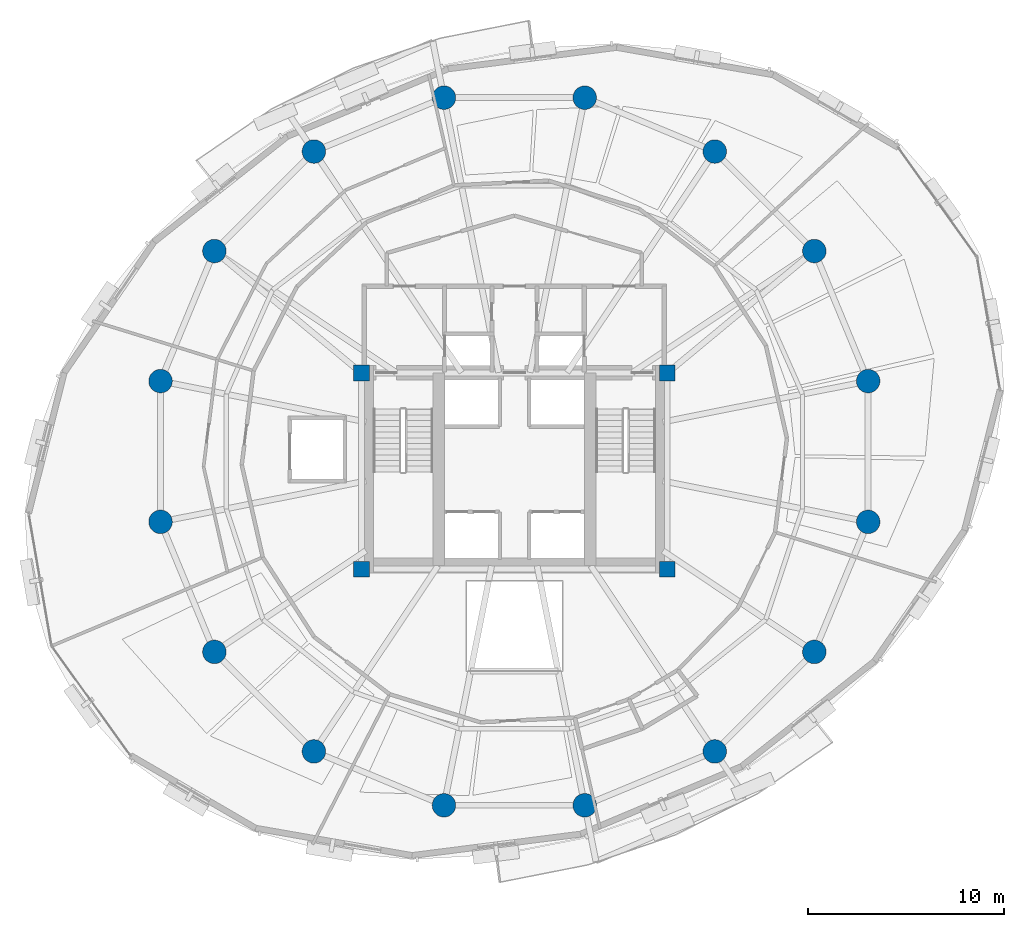
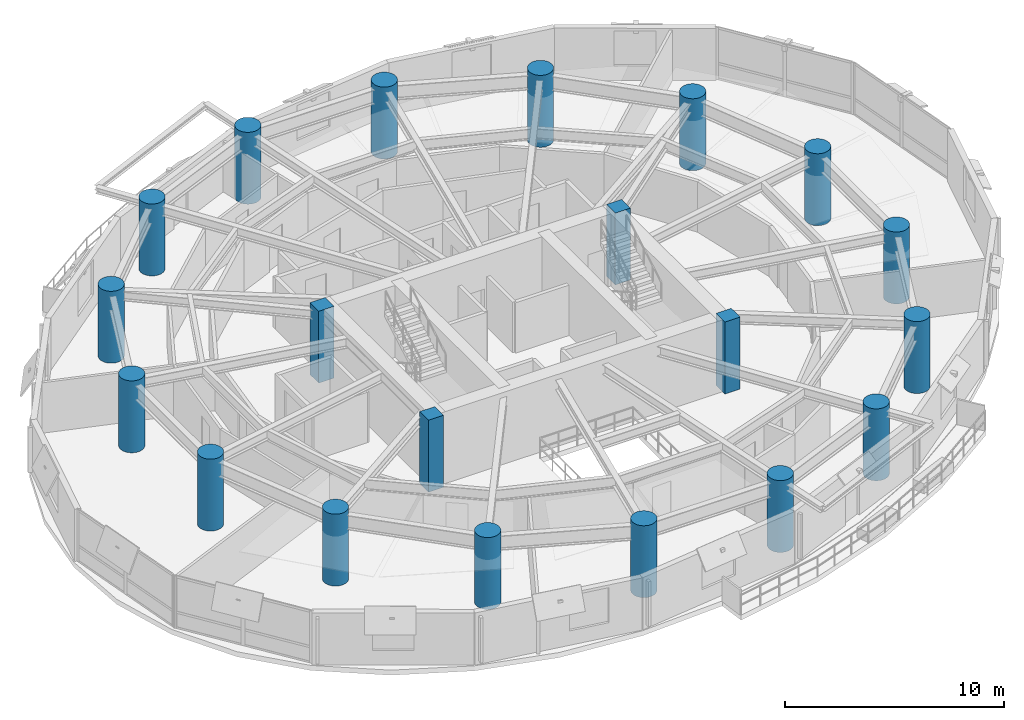
# One storey, part 1 of 14: 20 columns.
"""IFC4 building model written with IfcOpenShell, lengths in metres."""

from ifc_helpers import new_model, si_unit, direction, frame, origin, origin_2d, place, context, subcontext, project, spatial, rectangle, circle, extrude, material, material_profile, profile_set, type_object, element, save


model = new_model("IFC4")

# Units and contexts
model_context = context("Model", 3, precision=1e-05, world=origin(), true_north=direction((0.0, 1.0)))
body_context = subcontext(model_context, "Body", "Model", "MODEL_VIEW")
ifc_project = project(units=[si_unit("LENGTHUNIT", "METRE"), si_unit("AREAUNIT", "SQUARE_METRE"), si_unit("VOLUMEUNIT", "CUBIC_METRE"), si_unit("PLANEANGLEUNIT", "RADIAN"), si_unit("MASSUNIT", "GRAM", prefix="KILO"), si_unit("THERMODYNAMICTEMPERATUREUNIT", "KELVIN"), si_unit("POWERUNIT", "WATT")], contexts=[model_context])

# Site, building, storey
site_placement = place(None, origin())
site = spatial("IfcSite", under=ifc_project, at=site_placement, CompositionType="ELEMENT")
building_placement = place(site_placement, origin())
building = spatial("IfcBuilding", under=site, at=building_placement, Name="Ocrelia Relay Tower", CompositionType="ELEMENT")
storey_placement = place(building_placement, frame((0.0, 0.0, 129.800048828125)))
storey = spatial("IfcBuildingStorey", under=building, at=storey_placement, Name="L30", CompositionType="ELEMENT", Elevation=129.800048828125)

# Columns
ifc_material = material(Name="Concrete C60/75", Category="concrete")
ifc_material_profile_1 = material_profile(ifc_material, circle(Radius=0.60009765625, at=origin_2d()), Name="RC-CIR-1200")
ifc_profile_set_1 = profile_set([ifc_material_profile_1], Name="Concrete C60/75")
column_type_1 = type_object("IfcColumnType", Name="COL-CT-1200", PredefinedType="COLUMN", material=ifc_profile_set_1)
for number, where, z_axis, x_axis, name in (
    (1, (52.04638671875, 29.589599609375, 0.0), (0.0, 0.0, 1.0), (1.0, 0.0, 0.0), "L30 Perimeter Ring Column C01"),
    (2, (49.299072265625, 36.222412109375, 0.0), (0.0, 0.0, 1.0), (1.0, 0.0, 0.0), "L30 Perimeter Ring Column C02"),
    (3, (44.222412109375, 41.299072265625, 0.0), (0.0, 0.0, 1.0), (1.0, 0.0, 0.0), "L30 Perimeter Ring Column C03"),
    (4, (37.589599609375, 44.04638671875, 0.0), (0.0, 0.0, 1.0), (1.0, 0.0, 0.0), "L30 Perimeter Ring Column C04"),
    (5, (30.410400390625, 44.04638671875, 0.0), (0.0, 0.0, 1.0), (1.0, 0.0, 0.0), "L30 Perimeter Ring Column C05"),
    (6, (23.777587890625, 41.299072265625, 0.0), (0.0, 0.0, 1.0), (1.0, 0.0, 0.0), "L30 Perimeter Ring Column C06"),
    (7, (18.700927734375, 36.222412109375, 0.0), (0.0, 0.0, 1.0), (1.0, 0.0, 0.0), "L30 Perimeter Ring Column C07"),
    (8, (15.95361328125, 29.589599609375, 0.0), (0.0, 0.0, 1.0), (1.0, 0.0, 0.0), "L30 Perimeter Ring Column C08"),
    (9, (15.95361328125, 22.410400390625, 0.0), (0.0, 0.0, 1.0), (1.0, 0.0, 0.0), "L30 Perimeter Ring Column C09"),
    (10, (18.700927734375, 15.777587890625, 0.0), (0.0, 0.0, 1.0), (1.0, 0.0, 0.0), "L30 Perimeter Ring Column C10"),
    (11, (23.777587890625, 10.700927734375, 0.0), (0.0, 0.0, 1.0), (1.0, 0.0, 0.0), "L30 Perimeter Ring Column C11"),
    (12, (30.410400390625, 7.95361328125, 0.0), (0.0, 0.0, 1.0), (1.0, 0.0, 0.0), "L30 Perimeter Ring Column C12"),
    (13, (37.589599609375, 7.95361328125, 0.0), (0.0, 0.0, 1.0), (1.0, 0.0, 0.0), "L30 Perimeter Ring Column C13"),
    (14, (44.222412109375, 10.700927734375, 0.0), (0.0, 0.0, 1.0), (1.0, 0.0, 0.0), "L30 Perimeter Ring Column C14"),
    (15, (49.299072265625, 15.777587890625, 0.0), (0.0, 0.0, 1.0), (1.0, 0.0, 0.0), "L30 Perimeter Ring Column C15"),
    (16, (52.04638671875, 22.410400390625, 0.0), (0.0, 0.0, 1.0), (1.0, 0.0, 0.0), "L30 Perimeter Ring Column C16"),
):
    element("IfcColumn", number, at=place(storey_placement, frame(where, z_axis=z_axis, x_axis=x_axis)), inside=storey, type_object=column_type_1, Name=name, PredefinedType="COLUMN", context=body_context, shape_type="SweptSolid", body=[
        extrude(circle(Radius=0.60009765625, at=origin_2d()), origin(), (0.0, 0.0, 1.0), 4.0),
    ])
ifc_material_profile_2 = material_profile(ifc_material, rectangle(XDim=0.800048828125, YDim=0.800048828125, at=origin_2d()), Name="RC-COL-800x800")
ifc_profile_set_2 = profile_set([ifc_material_profile_2], Name="Concrete C60/75")
column_type_2 = type_object("IfcColumnType", Name="COL-PILASTER-800", PredefinedType="PILASTER", material=ifc_profile_set_2)
for number, where, z_axis, x_axis, name in (
    (17, (26.199951171875, 20.0, 0.0), (0.0, 0.0, 1.0), (1.0, 0.0, 0.0), "L30 Core Corner Pilaster SW"),
    (18, (41.800048828125, 20.0, 0.0), (0.0, 0.0, 1.0), (1.0, 0.0, 0.0), "L30 Core Corner Pilaster SE"),
    (19, (26.199951171875, 30.0, 0.0), (0.0, 0.0, 1.0), (1.0, 0.0, 0.0), "L30 Core Corner Pilaster NW"),
    (20, (41.800048828125, 30.0, 0.0), (0.0, 0.0, 1.0), (1.0, 0.0, 0.0), "L30 Core Corner Pilaster NE"),
):
    element("IfcColumn", number, at=place(storey_placement, frame(where, z_axis=z_axis, x_axis=x_axis)), inside=storey, type_object=column_type_2, Name=name, PredefinedType="PILASTER", context=body_context, shape_type="SweptSolid", body=[
        extrude(rectangle(XDim=0.800048828125, YDim=0.800048828125, at=origin_2d()), origin(), (0.0, 0.0, 1.0), 4.0),
    ])

save(model, "model.ifc")
